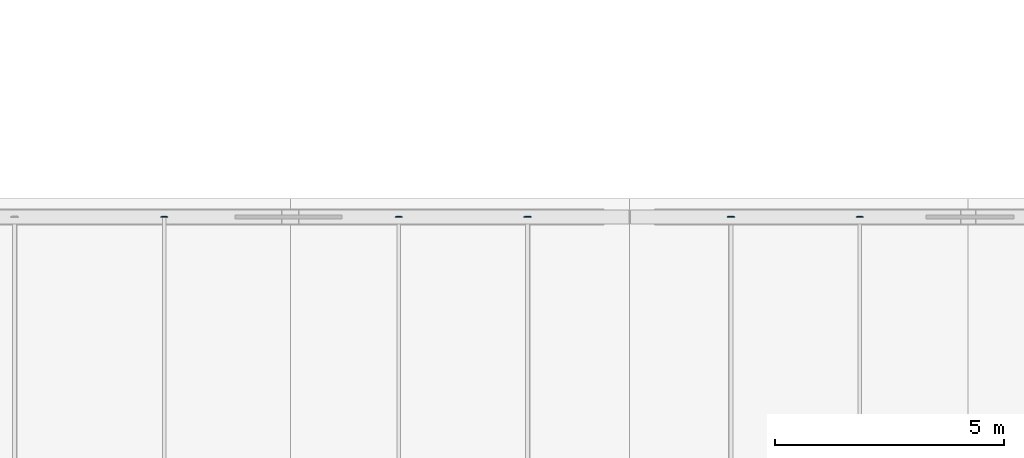
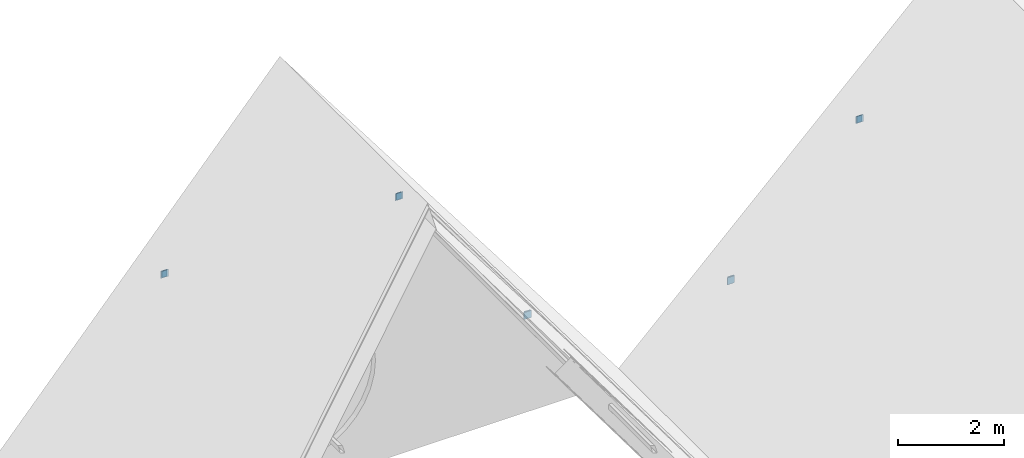
# One storey, part 47 of 64: 10 plates.
"""IFC4 building model written with IfcOpenShell, lengths in metres."""

from ifc_helpers import new_model, si_unit, direction, frame, origin, origin_2d, place, context, subcontext, project, spatial, rectangle, extrude, material, layer, layer_set, type_object, element, save


model = new_model("IFC4")

# Units and contexts
model_context = context("Model", 3, precision=1e-05, world=origin(), true_north=direction((0.0, 1.0)))
body_context = subcontext(model_context, "Body", "Model", "MODEL_VIEW")
ifc_project = project(units=[si_unit("LENGTHUNIT", "METRE"), si_unit("AREAUNIT", "SQUARE_METRE"), si_unit("VOLUMEUNIT", "CUBIC_METRE"), si_unit("PLANEANGLEUNIT", "RADIAN"), si_unit("MASSUNIT", "GRAM", prefix="KILO")], contexts=[model_context])

# Site, building, storey
site_placement = place(None, origin())
site = spatial("IfcSite", under=ifc_project, at=site_placement, CompositionType="ELEMENT")
building_placement = place(site_placement, origin())
building = spatial("IfcBuilding", under=site, at=building_placement, Name="Zhaolan Boulevard Law Courts", CompositionType="ELEMENT")
storey_placement = place(building_placement, frame((0.0, 0.0, 20.39990234375)))
storey = spatial("IfcBuildingStorey", under=building, at=storey_placement, Name="L04", CompositionType="ELEMENT", Elevation=20.39990234375)

# Plates
ifc_material = material(Name="Structural steel Q355B", Category="steel")
ifc_layer = layer(ifc_material, 0.02001953125)
ifc_layer_set = layer_set([ifc_layer])
plate_type = type_object("IfcPlateType", Name="END CAP PLATE 20", PredefinedType="SHEET", material=ifc_layer_set)
for number, where, z_axis, x_axis, name in (
    (1, (97.780029296875, 94.0, 2.24609375), (0.0, 0.0, 1.0), (1.0, 0.0, 0.0), "Purlin End-Cap Plate ECP-GPR3EN"),
    (2, (89.847900390625, 94.0, 5.97021484375), (0.0, 0.0, 1.0), (1.0, 0.0, 0.0), "Purlin End-Cap Plate ECP-GPR3WN"),
    (3, (94.968017578125, 94.0, 5.97021484375), (0.0, 0.0, 1.0), (1.0, 0.0, 0.0), "Purlin End-Cap Plate ECP-GPR3EN"),
    (4, (102.219970703125, 94.0, 1.4931640625), (0.0, 0.0, 1.0), (1.0, 0.0, 0.0), "Purlin End-Cap Plate ECP-GPR4WN"),
    (5, (105.031982421875, 94.0, 4.22900390625), (0.0, 0.0, 1.0), (1.0, 0.0, 0.0), "Purlin End-Cap Plate ECP-GPR4WN"),
):
    element("IfcPlate", number, at=place(storey_placement, frame(where, z_axis=z_axis, x_axis=x_axis)), inside=storey, type_object=plate_type, Name=name, PredefinedType="SHEET", context=body_context, shape_type="SweptSolid", body=[
        extrude(rectangle(XDim=0.159912109375, YDim=0.02001953125, at=origin_2d()), origin(), (0.0, 0.0, 1.0), 0.159912109375),
    ])
plate_1_placement = place(storey_placement, frame((97.780029296875, 94.008056640625, 2.236328125), z_axis=(0.0, 0.0, 1.0), x_axis=(0.0, 1.0, 0.0)))
element("IfcPlate", 6, at=plate_1_placement, inside=storey, type_object=plate_type, Name="Hollow Section End-Cap Plate ECP-1444", PredefinedType="SHEET", context=body_context, shape_type="SweptSolid", body=[
    extrude(rectangle(XDim=0.02001953125, YDim=0.1298828125, at=origin_2d()), origin(), (0.0, 0.0, 1.0), 0.179931640625),
])
for number, where, z_axis, x_axis, name in (
    (7, (89.847900390625, 94.008056640625, 5.97509765625), (0.0, 0.0, 1.0), (0.0, 1.0, 0.0), "Hollow Section End-Cap Plate ECP-1446"),
    (8, (94.968017578125, 94.008056640625, 5.97509765625), (0.0, 0.0, 1.0), (0.0, 1.0, 0.0), "Hollow Section End-Cap Plate ECP-1448"),
):
    element("IfcPlate", number, at=place(storey_placement, frame(where, z_axis=z_axis, x_axis=x_axis)), inside=storey, type_object=plate_type, Name=name, PredefinedType="SHEET", context=body_context, shape_type="SweptSolid", body=[
        extrude(rectangle(XDim=0.02001953125, YDim=0.110107421875, at=origin_2d()), origin(), (0.0, 0.0, 1.0), 0.14990234375),
    ])
plate_2_placement = place(storey_placement, frame((102.219970703125, 94.008056640625, 1.48291015625), z_axis=(0.0, 0.0, 1.0), x_axis=(0.0, 1.0, 0.0)))
element("IfcPlate", 9, at=plate_2_placement, inside=storey, type_object=plate_type, Name="Hollow Section End-Cap Plate ECP-1450", PredefinedType="SHEET", context=body_context, shape_type="SweptSolid", body=[
    extrude(rectangle(XDim=0.02001953125, YDim=0.1298828125, at=origin_2d()), origin(), (0.0, 0.0, 1.0), 0.179931640625),
])
plate_3_placement = place(storey_placement, frame((105.031982421875, 94.008056640625, 4.234130859375), z_axis=(0.0, 0.0, 1.0), x_axis=(0.0, 1.0, 0.0)))
element("IfcPlate", 10, at=plate_3_placement, inside=storey, type_object=plate_type, Name="Hollow Section End-Cap Plate ECP-1454", PredefinedType="SHEET", context=body_context, shape_type="SweptSolid", body=[
    extrude(rectangle(XDim=0.02001953125, YDim=0.110107421875, at=origin_2d()), origin(), (0.0, 0.0, 1.0), 0.14990234375),
])

save(model, "model.ifc")
